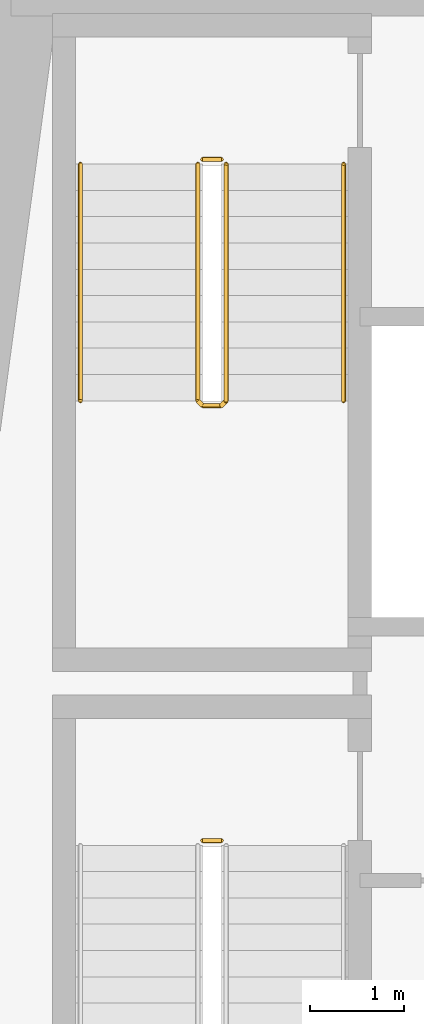
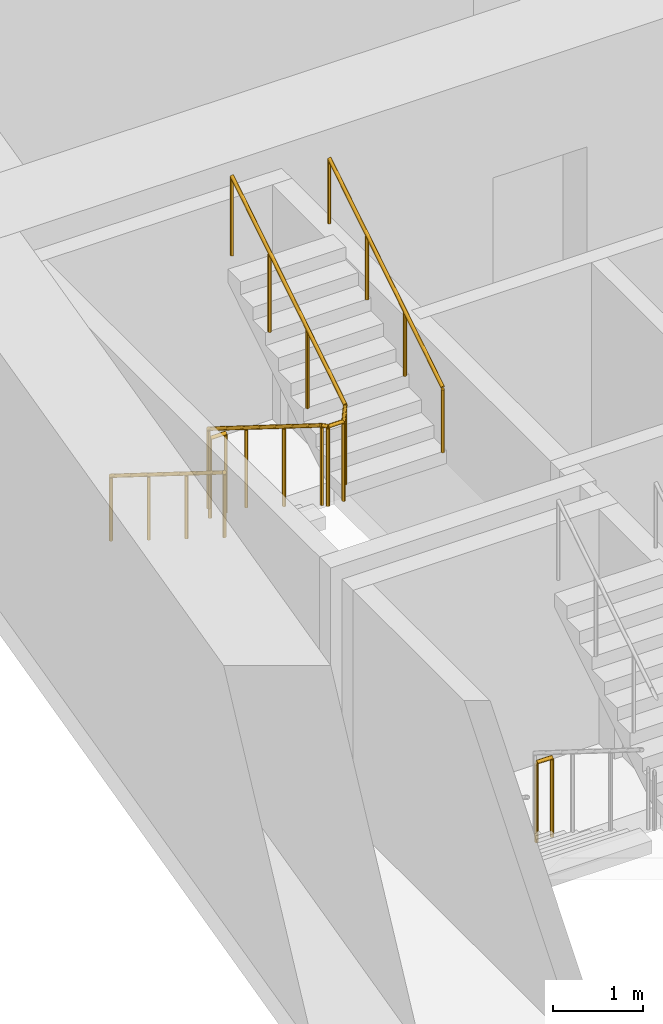
# One storey, part 9 of 12: 5 railings.
"""IFC4 building model written with IfcOpenShell, lengths in metres."""

from ifc_helpers import new_model, si_unit, direction, frame, origin, origin_2d, place, context, subcontext, project, spatial, circle, extrude, material, type_object, element, save


model = new_model("IFC4")

# Units and contexts
model_context = context("Model", 3, precision=1e-05, world=origin(), true_north=direction((0.0, 1.0)))
body_context = subcontext(model_context, "Body", "Model", "MODEL_VIEW")
ifc_project = project(units=[si_unit("LENGTHUNIT", "METRE"), si_unit("AREAUNIT", "SQUARE_METRE"), si_unit("VOLUMEUNIT", "CUBIC_METRE"), si_unit("PLANEANGLEUNIT", "RADIAN"), si_unit("MASSUNIT", "GRAM", prefix="KILO")], contexts=[model_context])

# Site, building, storey
site_placement = place(None, origin())
site = spatial("IfcSite", under=ifc_project, at=site_placement, CompositionType="ELEMENT")
building_placement = place(site_placement, origin())
building = spatial("IfcBuilding", under=site, at=building_placement, Name="Candeia Pilgrim Tower and Theatre", CompositionType="ELEMENT")
storey_placement = place(building_placement, frame((0.0, 0.0, 74.0)))
storey = spatial("IfcBuildingStorey", under=building, at=storey_placement, Name="L16", CompositionType="ELEMENT", Elevation=74.0)

# Railings
ifc_material_1 = material(Name="Stainless steel balustrade", Category="steel")
railing_type_1 = type_object("IfcRailingType", Name="RL-GUARD-1100", PredefinedType="GUARDRAIL", material=ifc_material_1)
railing_1_placement = place(storey_placement, frame((91.152099609375, 122.52490234375, 0.0)))
element("IfcRailing", 1, at=railing_1_placement, inside=storey, type_object=railing_type_1, Name="L16 ST1 stair guard 2", PredefinedType="GUARDRAIL", context=body_context, shape_type="SweptSolid", body=[
    extrude(circle(Radius=0.02392578125, at=origin_2d()), frame((0.0, 0.0, 1.076171875), z_axis=(1.0, 0.0, 0.0), x_axis=(0.0, 1.0, 0.0)), (0.0, 0.0, 1.0), 0.199951171875),
    extrude(circle(Radius=0.02099609375, at=origin_2d()), origin(), (0.0, 0.0, 1.0), 1.052001953125),
    extrude(circle(Radius=0.02099609375, at=origin_2d()), frame((0.199951171875, 0.0, 0.0)), (0.0, 0.0, 1.0), 1.052001953125),
])
railing_2_placement = place(storey_placement, frame((91.10205078125, 129.72509765625, 0.175048828125)))
element("IfcRailing", 2, at=railing_2_placement, inside=storey, type_object=railing_type_1, Name="L16 ST2 stair guard 1", PredefinedType="GUARDRAIL", context=body_context, shape_type="SweptSolid", body=[
    extrude(circle(Radius=0.02392578125, at=origin_2d()), frame((0.0, 0.0, 1.076171875), z_axis=(0.0, -0.848007534815, 0.529984170421), x_axis=(1.0, 0.0, 0.0)), (0.0, 0.0, 1.0), 2.9716796875),
    extrude(circle(Radius=0.02392578125, at=origin_2d()), frame((0.0, -2.52001953125, 2.65087890625), z_axis=(0.707106781187, -0.707106781187, 0.0), x_axis=(0.707106781187, 0.707106781187, 0.0)), (0.0, 0.0, 1.0), 0.07080078125),
    extrude(circle(Radius=0.02392578125, at=origin_2d()), frame((0.050048828125, -2.570068359375, 2.65087890625), z_axis=(1.0, 0.0, 0.0), x_axis=(0.0, 1.0, 0.0)), (0.0, 0.0, 1.0), 0.199951171875),
    extrude(circle(Radius=0.02392578125, at=origin_2d()), frame((0.25, -2.570068359375, 2.65087890625), z_axis=(0.265065253269, 0.265065253269, 0.927081885822), x_axis=(-0.707106781187, 0.707106781187, 0.0)), (0.0, 0.0, 1.0), 0.188720703125),
    extrude(circle(Radius=0.02392578125, at=origin_2d()), frame((0.300048828125, -2.52001953125, 2.826171875), z_axis=(0.0, 0.848007534815, 0.529984170421), x_axis=(-1.0, 0.0, 0.0)), (0.0, 0.0, 1.0), 2.9716796875),
    extrude(circle(Radius=0.02099609375, at=origin_2d()), origin(), (0.0, 0.0, 1.0), 1.052001953125),
    extrude(circle(Radius=0.02099609375, at=origin_2d()), frame((0.0, -0.840087890625, 0.52490234375)), (0.0, 0.0, 1.0), 1.052001953125),
    extrude(circle(Radius=0.02099609375, at=origin_2d()), frame((0.0, -1.679931640625, 1.050048828125)), (0.0, 0.0, 1.0), 1.052001953125),
    extrude(circle(Radius=0.02099609375, at=origin_2d()), frame((0.0, -2.52001953125, 1.574951171875)), (0.0, 0.0, 1.0), 1.052001953125),
    extrude(circle(Radius=0.02099609375, at=origin_2d()), frame((0.050048828125, -2.570068359375, 1.574951171875)), (0.0, 0.0, 1.0), 1.052001953125),
    extrude(circle(Radius=0.02099609375, at=origin_2d()), frame((0.25, -2.570068359375, 1.574951171875)), (0.0, 0.0, 1.0), 1.052001953125),
    extrude(circle(Radius=0.02099609375, at=origin_2d()), frame((0.300048828125, -2.52001953125, 1.75)), (0.0, 0.0, 1.0), 1.052001953125),
    extrude(circle(Radius=0.02099609375, at=origin_2d()), frame((0.300048828125, -1.679931640625, 2.27490234375)), (0.0, 0.0, 1.0), 1.052001953125),
    extrude(circle(Radius=0.02099609375, at=origin_2d()), frame((0.300048828125, -0.840087890625, 2.800048828125)), (0.0, 0.0, 1.0), 1.052001953125),
    extrude(circle(Radius=0.02099609375, at=origin_2d()), frame((0.300048828125, 0.0, 3.324951171875)), (0.0, 0.0, 1.0), 1.052001953125),
])
railing_3_placement = place(storey_placement, frame((91.152099609375, 129.77490234375, 0.0)))
element("IfcRailing", 3, at=railing_3_placement, inside=storey, type_object=railing_type_1, Name="L16 ST2 stair guard 2", PredefinedType="GUARDRAIL", context=body_context, shape_type="SweptSolid", body=[
    extrude(circle(Radius=0.02392578125, at=origin_2d()), frame((0.0, 0.0, 1.076171875), z_axis=(1.0, 0.0, 0.0), x_axis=(0.0, 1.0, 0.0)), (0.0, 0.0, 1.0), 0.199951171875),
    extrude(circle(Radius=0.02099609375, at=origin_2d()), origin(), (0.0, 0.0, 1.0), 1.052001953125),
    extrude(circle(Radius=0.02099609375, at=origin_2d()), frame((0.199951171875, 0.0, 0.0)), (0.0, 0.0, 1.0), 1.052001953125),
])
ifc_material_2 = material(Name="Stainless steel handrail", Category="steel")
railing_type_2 = type_object("IfcRailingType", Name="RL-HANDRAIL-900", PredefinedType="HANDRAIL", material=ifc_material_2)
railing_4_placement = place(storey_placement, frame((89.85205078125, 129.72509765625, 0.175048828125)))
element("IfcRailing", 4, at=railing_4_placement, inside=storey, type_object=railing_type_2, Name="L16 ST2 stair handrail 1", PredefinedType="HANDRAIL", context=body_context, shape_type="SweptSolid", body=[
    extrude(circle(Radius=0.02392578125, at=origin_2d()), frame((0.0, 0.0, 0.8759765625), z_axis=(0.0, -0.848007534815, 0.529984170421), x_axis=(1.0, 0.0, 0.0)), (0.0, 0.0, 1.0), 2.9716796875),
    extrude(circle(Radius=0.02099609375, at=origin_2d()), origin(), (0.0, 0.0, 1.0), 0.851806640625),
    extrude(circle(Radius=0.02099609375, at=origin_2d()), frame((0.0, -0.840087890625, 0.52490234375)), (0.0, 0.0, 1.0), 0.851806640625),
    extrude(circle(Radius=0.02099609375, at=origin_2d()), frame((0.0, -1.679931640625, 1.050048828125)), (0.0, 0.0, 1.0), 0.851806640625),
    extrude(circle(Radius=0.02099609375, at=origin_2d()), frame((0.0, -2.52001953125, 1.574951171875)), (0.0, 0.0, 1.0), 0.851806640625),
])
railing_5_placement = place(storey_placement, frame((92.652099609375, 127.205078125, 1.925048828125)))
element("IfcRailing", 5, at=railing_5_placement, inside=storey, type_object=railing_type_2, Name="L16 ST2 stair handrail 2", PredefinedType="HANDRAIL", context=body_context, shape_type="SweptSolid", body=[
    extrude(circle(Radius=0.02392578125, at=origin_2d()), frame((0.0, 0.0, 0.8759765625), z_axis=(0.0, 0.848007534815, 0.529984170421), x_axis=(-1.0, 0.0, 0.0)), (0.0, 0.0, 1.0), 2.9716796875),
    extrude(circle(Radius=0.02099609375, at=origin_2d()), origin(), (0.0, 0.0, 1.0), 0.851806640625),
    extrude(circle(Radius=0.02099609375, at=origin_2d()), frame((0.0, 0.840087890625, 0.52490234375)), (0.0, 0.0, 1.0), 0.851806640625),
    extrude(circle(Radius=0.02099609375, at=origin_2d()), frame((0.0, 1.679931640625, 1.050048828125)), (0.0, 0.0, 1.0), 0.851806640625),
    extrude(circle(Radius=0.02099609375, at=origin_2d()), frame((0.0, 2.52001953125, 1.574951171875)), (0.0, 0.0, 1.0), 0.851806640625),
])

save(model, "model.ifc")
